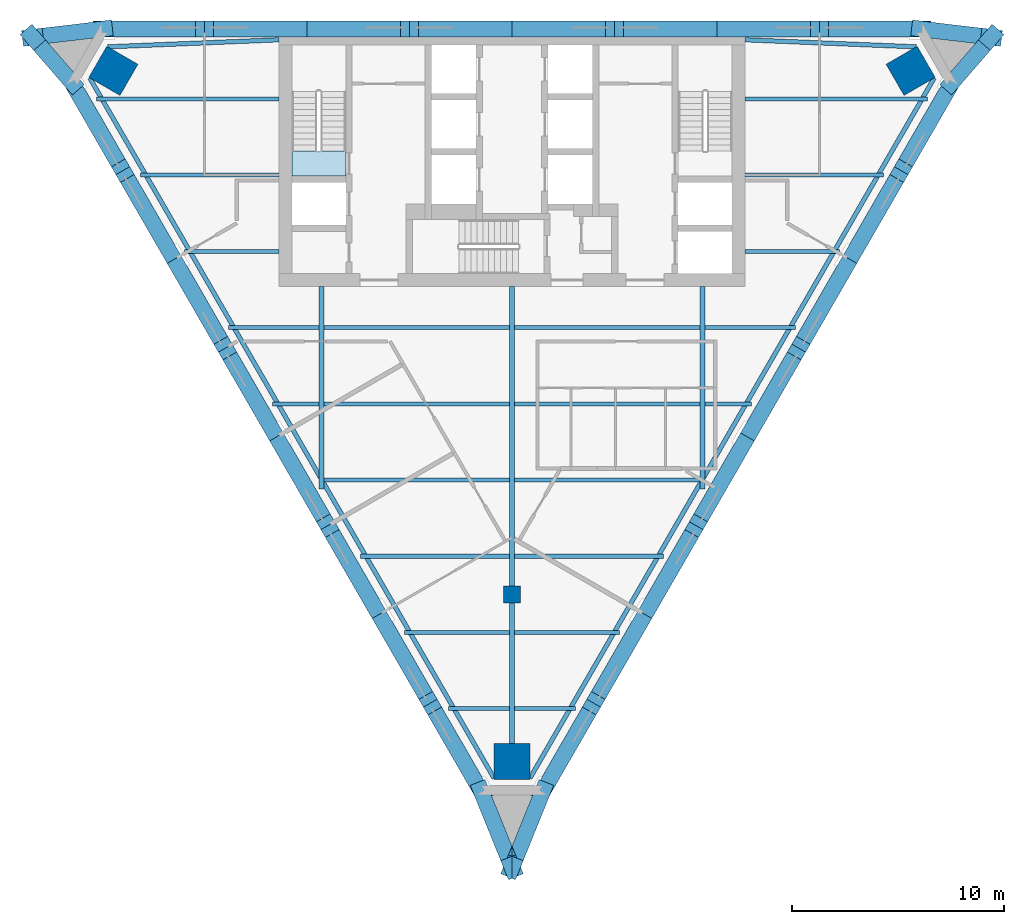
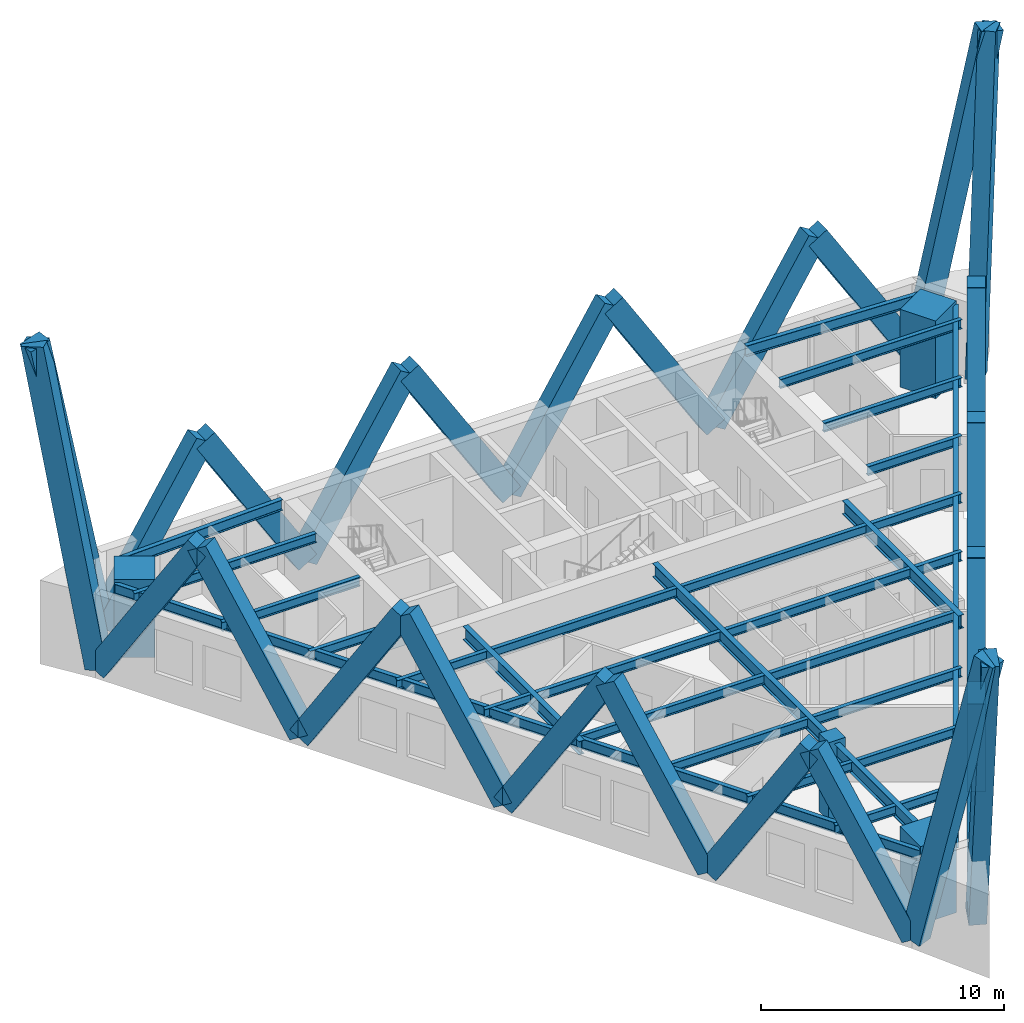
# One storey, part 1 of 6: 30 beams, 30 members, 4 columns, 1 slab.
"""IFC4 building model written with IfcOpenShell, lengths in metres."""

from ifc_helpers import new_model, si_unit, direction, frame, origin, origin_2d, place, context, subcontext, project, spatial, polyline, rectangle, i_section, outline, extrude, material, layer, layer_set, material_profile, profile_set, type_object, element, save


model = new_model("IFC4")

# Units and contexts
model_context = context("Model", 3, precision=1e-05, world=origin(), true_north=direction((0.0, 1.0)))
body_context = subcontext(model_context, "Body", "Model", "MODEL_VIEW")
ifc_project = project(units=[si_unit("LENGTHUNIT", "METRE"), si_unit("AREAUNIT", "SQUARE_METRE"), si_unit("VOLUMEUNIT", "CUBIC_METRE"), si_unit("PLANEANGLEUNIT", "RADIAN"), si_unit("MASSUNIT", "GRAM", prefix="KILO")], contexts=[model_context])

# Site, building, storey
site_placement = place(None, origin())
site = spatial("IfcSite", under=ifc_project, at=site_placement, CompositionType="ELEMENT")
building_placement = place(site_placement, origin())
building = spatial("IfcBuilding", under=site, at=building_placement, Name="Aloe Facet Convention Tower", CompositionType="ELEMENT")
storey_placement = place(building_placement, frame((0.0, 0.0, 180.199951171875)))
storey = spatial("IfcBuildingStorey", under=building, at=storey_placement, Name="L45", CompositionType="ELEMENT", Elevation=180.199951171875)

# Columns
ifc_material_1 = material(Name="Concrete C70/85", Category="concrete")
ifc_material_profile_1 = material_profile(ifc_material_1, rectangle(XDim=0.800048828125, YDim=0.800048828125, at=origin_2d()), Name="SF-GC-Z4")
ifc_profile_set_1 = profile_set([ifc_material_profile_1], Name="Concrete C70/85")
column_type_1 = type_object("IfcColumnType", Name="SF-GC-Z4", PredefinedType="COLUMN", material=ifc_profile_set_1)
column_placement = place(storey_placement, frame((80.0, 108.0, 0.0), z_axis=(0.0, 0.0, 1.0), x_axis=(1.0, 0.0, 0.0)))
element("IfcColumn", 1, at=column_placement, inside=storey, type_object=column_type_1, Name="Gravity column GC-Z4-9D", PredefinedType="COLUMN", context=body_context, shape_type="SweptSolid", body=[
    extrude(rectangle(XDim=0.800048828125, YDim=0.800048828125, at=origin_2d()), origin(), (0.0, 0.0, 1.0), 3.900146484375),
])
ifc_material_2 = material(Name="Concrete C80/95", Category="concrete")
ifc_material_profile_2 = material_profile(ifc_material_2, rectangle(XDim=1.699951171875, YDim=1.699951171875, at=origin_2d()), Name="STW-MC-Z4")
ifc_profile_set_2 = profile_set([ifc_material_profile_2], Name="Concrete C80/95")
column_type_2 = type_object("IfcColumnType", Name="STW-MC-Z4", PredefinedType="COLUMN", material=ifc_profile_set_2)
for number, where, z_axis, x_axis, name in (
    (2, (98.828857421875, 132.727783203125, 0.0), (0.0, 0.0, 1.0), (-0.5, 0.866025403784, 0.0), "Mega-column MC-NE-L45"),
    (3, (61.171142578125, 132.727783203125, 0.0), (0.0, 0.0, 1.0), (-0.5, -0.866025403784, 0.0), "Mega-column MC-NW-L45"),
    (4, (80.0, 100.114990234375, 0.0), (0.0, 0.0, 1.0), (1.0, 0.0, 0.0), "Mega-column MC-S-L45"),
):
    element("IfcColumn", number, at=place(storey_placement, frame(where, z_axis=z_axis, x_axis=x_axis)), inside=storey, type_object=column_type_2, Name=name, PredefinedType="COLUMN", context=body_context, shape_type="SweptSolid", body=[
        extrude(rectangle(XDim=1.699951171875, YDim=1.699951171875, at=origin_2d()), origin(), (0.0, 0.0, 1.0), 3.900146484375),
    ])

# Beams
ifc_material_3 = material(Name="Steel S355", Category="steel")
ifc_material_profile_3 = material_profile(ifc_material_3, i_section(OverallWidth=0.19140625, OverallDepth=0.4599609375, WebThickness=0.010009765625, FlangeThickness=0.01611328125, FilletRadius=0.01025390625, at=origin_2d()), Name="UB 457x191x82")
ifc_profile_set_3 = profile_set([ifc_material_profile_3], Name="Steel S355")
beam_type_1 = type_object("IfcBeamType", Name="SF-B-UB457x191x82", PredefinedType="BEAM", material=ifc_profile_set_3)
beam_1_placement = place(storey_placement, frame((60.373779296875, 131.39990234375, 3.52001953125), z_axis=(1.0, 0.0, 0.0), x_axis=(0.0, 1.0, 0.0)))
element("IfcBeam", 5, at=beam_1_placement, inside=storey, type_object=beam_type_1, Name="Floor beam FB-Z4B-009", PredefinedType="BEAM", context=body_context, shape_type="SweptSolid", body=[
    extrude(i_section(OverallWidth=0.19140625, OverallDepth=0.4599609375, WebThickness=0.010009765625, FlangeThickness=0.01611328125, FilletRadius=0.01025390625, at=origin_2d()), origin(), (0.0, 0.0, 1.0), 8.626220703125),
])
beam_2_placement = place(storey_placement, frame((62.452392578125, 127.800048828125, 3.52001953125), z_axis=(1.0, 0.0, 0.0), x_axis=(0.0, 1.0, 0.0)))
element("IfcBeam", 6, at=beam_2_placement, inside=storey, type_object=beam_type_1, Name="Floor beam FB-Z4B-010", PredefinedType="BEAM", context=body_context, shape_type="SweptSolid", body=[
    extrude(i_section(OverallWidth=0.19140625, OverallDepth=0.4599609375, WebThickness=0.010009765625, FlangeThickness=0.01611328125, FilletRadius=0.01025390625, at=origin_2d()), origin(), (0.0, 0.0, 1.0), 6.547607421875),
])
beam_3_placement = place(storey_placement, frame((64.53076171875, 124.199951171875, 3.52001953125), z_axis=(1.0, 0.0, 0.0), x_axis=(0.0, 1.0, 0.0)))
element("IfcBeam", 7, at=beam_3_placement, inside=storey, type_object=beam_type_1, Name="Floor beam FB-Z4B-011", PredefinedType="BEAM", context=body_context, shape_type="SweptSolid", body=[
    extrude(i_section(OverallWidth=0.19140625, OverallDepth=0.4599609375, WebThickness=0.010009765625, FlangeThickness=0.01611328125, FilletRadius=0.01025390625, at=origin_2d()), origin(), (0.0, 0.0, 1.0), 4.46923828125),
])
beam_4_placement = place(storey_placement, frame((66.609130859375, 120.60009765625, 3.52001953125), z_axis=(1.0, 0.0, 0.0), x_axis=(0.0, 1.0, 0.0)))
element("IfcBeam", 8, at=beam_4_placement, inside=storey, type_object=beam_type_1, Name="Floor beam FB-Z4B-012", PredefinedType="BEAM", context=body_context, shape_type="SweptSolid", body=[
    extrude(i_section(OverallWidth=0.19140625, OverallDepth=0.4599609375, WebThickness=0.010009765625, FlangeThickness=0.01611328125, FilletRadius=0.01025390625, at=origin_2d()), origin(), (0.0, 0.0, 1.0), 4.264404296875),
])
beam_5_placement = place(storey_placement, frame((68.687744140625, 117.0, 3.52001953125), z_axis=(1.0, 0.0, 0.0), x_axis=(0.0, 1.0, 0.0)))
element("IfcBeam", 9, at=beam_5_placement, inside=storey, type_object=beam_type_1, Name="Floor beam FB-Z4B-013", PredefinedType="BEAM", context=body_context, shape_type="SweptSolid", body=[
    extrude(i_section(OverallWidth=0.19140625, OverallDepth=0.4599609375, WebThickness=0.010009765625, FlangeThickness=0.01611328125, FilletRadius=0.01025390625, at=origin_2d()), origin(), (0.0, 0.0, 1.0), 2.185791015625),
])
for number, where, z_axis, x_axis, name in (
    (10, (71.12646484375, 113.39990234375, 3.52001953125), (1.0, 0.0, 0.0), (0.0, 1.0, 0.0), "Floor beam FB-Z4B-014"),
    (11, (71.12646484375, 117.0, 3.52001953125), (1.0, 0.0, 0.0), (0.0, 1.0, 0.0), "Floor beam FB-Z4B-015"),
    (12, (71.12646484375, 120.60009765625, 3.52001953125), (1.0, 0.0, 0.0), (0.0, 1.0, 0.0), "Floor beam FB-Z4B-016"),
):
    element("IfcBeam", number, at=place(storey_placement, frame(where, z_axis=z_axis, x_axis=x_axis)), inside=storey, type_object=beam_type_1, Name=name, PredefinedType="BEAM", context=body_context, shape_type="SweptSolid", body=[
        extrude(i_section(OverallWidth=0.19140625, OverallDepth=0.4599609375, WebThickness=0.010009765625, FlangeThickness=0.01611328125, FilletRadius=0.01025390625, at=origin_2d()), origin(), (0.0, 0.0, 1.0), 8.7470703125),
    ])
beam_6_placement = place(storey_placement, frame((72.844482421875, 109.800048828125, 3.52001953125), z_axis=(1.0, 0.0, 0.0), x_axis=(0.0, 1.0, 0.0)))
element("IfcBeam", 13, at=beam_6_placement, inside=storey, type_object=beam_type_1, Name="Floor beam FB-Z4B-017", PredefinedType="BEAM", context=body_context, shape_type="SweptSolid", body=[
    extrude(i_section(OverallWidth=0.19140625, OverallDepth=0.4599609375, WebThickness=0.010009765625, FlangeThickness=0.01611328125, FilletRadius=0.01025390625, at=origin_2d()), origin(), (0.0, 0.0, 1.0), 7.029052734375),
])
beam_7_placement = place(storey_placement, frame((74.923095703125, 106.199951171875, 3.52001953125), z_axis=(1.0, 0.0, 0.0), x_axis=(0.0, 1.0, 0.0)))
element("IfcBeam", 14, at=beam_7_placement, inside=storey, type_object=beam_type_1, Name="Floor beam FB-Z4B-018", PredefinedType="BEAM", context=body_context, shape_type="SweptSolid", body=[
    extrude(i_section(OverallWidth=0.19140625, OverallDepth=0.4599609375, WebThickness=0.010009765625, FlangeThickness=0.01611328125, FilletRadius=0.01025390625, at=origin_2d()), origin(), (0.0, 0.0, 1.0), 4.950439453125),
])
for number, where, z_axis, x_axis, name in (
    (15, (77.00146484375, 102.60009765625, 3.52001953125), (1.0, 0.0, 0.0), (0.0, 1.0, 0.0), "Floor beam FB-Z4B-019"),
    (16, (80.12646484375, 102.60009765625, 3.52001953125), (1.0, 0.0, 0.0), (0.0, 1.0, 0.0), "Floor beam FB-Z4B-020"),
):
    element("IfcBeam", number, at=place(storey_placement, frame(where, z_axis=z_axis, x_axis=x_axis)), inside=storey, type_object=beam_type_1, Name=name, PredefinedType="BEAM", context=body_context, shape_type="SweptSolid", body=[
        extrude(i_section(OverallWidth=0.19140625, OverallDepth=0.4599609375, WebThickness=0.010009765625, FlangeThickness=0.01611328125, FilletRadius=0.01025390625, at=origin_2d()), origin(), (0.0, 0.0, 1.0), 2.8720703125),
    ])
beam_8_placement = place(storey_placement, frame((80.12646484375, 106.199951171875, 3.52001953125), z_axis=(1.0, 0.0, 0.0), x_axis=(0.0, 1.0, 0.0)))
element("IfcBeam", 17, at=beam_8_placement, inside=storey, type_object=beam_type_1, Name="Floor beam FB-Z4B-021", PredefinedType="BEAM", context=body_context, shape_type="SweptSolid", body=[
    extrude(i_section(OverallWidth=0.19140625, OverallDepth=0.4599609375, WebThickness=0.010009765625, FlangeThickness=0.01611328125, FilletRadius=0.01025390625, at=origin_2d()), origin(), (0.0, 0.0, 1.0), 4.950439453125),
])
beam_9_placement = place(storey_placement, frame((80.12646484375, 109.800048828125, 3.52001953125), z_axis=(1.0, 0.0, 0.0), x_axis=(0.0, 1.0, 0.0)))
element("IfcBeam", 18, at=beam_9_placement, inside=storey, type_object=beam_type_1, Name="Floor beam FB-Z4B-022", PredefinedType="BEAM", context=body_context, shape_type="SweptSolid", body=[
    extrude(i_section(OverallWidth=0.19140625, OverallDepth=0.4599609375, WebThickness=0.010009765625, FlangeThickness=0.01611328125, FilletRadius=0.01025390625, at=origin_2d()), origin(), (0.0, 0.0, 1.0), 7.029052734375),
])
for number, where, z_axis, x_axis, name in (
    (19, (80.12646484375, 113.39990234375, 3.52001953125), (1.0, 0.0, 0.0), (0.0, 1.0, 0.0), "Floor beam FB-Z4B-023"),
    (20, (80.12646484375, 117.0, 3.52001953125), (1.0, 0.0, 0.0), (0.0, 1.0, 0.0), "Floor beam FB-Z4B-024"),
    (21, (80.12646484375, 120.60009765625, 3.52001953125), (1.0, 0.0, 0.0), (0.0, 1.0, 0.0), "Floor beam FB-Z4B-025"),
):
    element("IfcBeam", number, at=place(storey_placement, frame(where, z_axis=z_axis, x_axis=x_axis)), inside=storey, type_object=beam_type_1, Name=name, PredefinedType="BEAM", context=body_context, shape_type="SweptSolid", body=[
        extrude(i_section(OverallWidth=0.19140625, OverallDepth=0.4599609375, WebThickness=0.010009765625, FlangeThickness=0.01611328125, FilletRadius=0.01025390625, at=origin_2d()), origin(), (0.0, 0.0, 1.0), 8.7470703125),
    ])
beam_10_placement = place(storey_placement, frame((89.12646484375, 117.0, 3.52001953125), z_axis=(1.0, 0.0, 0.0), x_axis=(0.0, 1.0, 0.0)))
element("IfcBeam", 22, at=beam_10_placement, inside=storey, type_object=beam_type_1, Name="Floor beam FB-Z4B-026", PredefinedType="BEAM", context=body_context, shape_type="SweptSolid", body=[
    extrude(i_section(OverallWidth=0.19140625, OverallDepth=0.4599609375, WebThickness=0.010009765625, FlangeThickness=0.01611328125, FilletRadius=0.01025390625, at=origin_2d()), origin(), (0.0, 0.0, 1.0), 2.185791015625),
])
beam_11_placement = place(storey_placement, frame((89.12646484375, 120.60009765625, 3.52001953125), z_axis=(1.0, 0.0, 0.0), x_axis=(0.0, 1.0, 0.0)))
element("IfcBeam", 23, at=beam_11_placement, inside=storey, type_object=beam_type_1, Name="Floor beam FB-Z4B-027", PredefinedType="BEAM", context=body_context, shape_type="SweptSolid", body=[
    extrude(i_section(OverallWidth=0.19140625, OverallDepth=0.4599609375, WebThickness=0.010009765625, FlangeThickness=0.01611328125, FilletRadius=0.01025390625, at=origin_2d()), origin(), (0.0, 0.0, 1.0), 4.264404296875),
])
beam_12_placement = place(storey_placement, frame((91.0, 124.199951171875, 3.52001953125), z_axis=(1.0, 0.0, 0.0), x_axis=(0.0, 1.0, 0.0)))
element("IfcBeam", 24, at=beam_12_placement, inside=storey, type_object=beam_type_1, Name="Floor beam FB-Z4B-028", PredefinedType="BEAM", context=body_context, shape_type="SweptSolid", body=[
    extrude(i_section(OverallWidth=0.19140625, OverallDepth=0.4599609375, WebThickness=0.010009765625, FlangeThickness=0.01611328125, FilletRadius=0.01025390625, at=origin_2d()), origin(), (0.0, 0.0, 1.0), 4.46923828125),
])
beam_13_placement = place(storey_placement, frame((91.0, 127.800048828125, 3.52001953125), z_axis=(1.0, 0.0, 0.0), x_axis=(0.0, 1.0, 0.0)))
element("IfcBeam", 25, at=beam_13_placement, inside=storey, type_object=beam_type_1, Name="Floor beam FB-Z4B-029", PredefinedType="BEAM", context=body_context, shape_type="SweptSolid", body=[
    extrude(i_section(OverallWidth=0.19140625, OverallDepth=0.4599609375, WebThickness=0.010009765625, FlangeThickness=0.01611328125, FilletRadius=0.01025390625, at=origin_2d()), origin(), (0.0, 0.0, 1.0), 6.547607421875),
])
beam_14_placement = place(storey_placement, frame((91.0, 131.39990234375, 3.52001953125), z_axis=(1.0, 0.0, 0.0), x_axis=(0.0, 1.0, 0.0)))
element("IfcBeam", 26, at=beam_14_placement, inside=storey, type_object=beam_type_1, Name="Floor beam FB-Z4B-030", PredefinedType="BEAM", context=body_context, shape_type="SweptSolid", body=[
    extrude(i_section(OverallWidth=0.19140625, OverallDepth=0.4599609375, WebThickness=0.010009765625, FlangeThickness=0.01611328125, FilletRadius=0.01025390625, at=origin_2d()), origin(), (0.0, 0.0, 1.0), 8.626220703125),
])
ifc_material_4 = material(Name="Steel S355", Category="steel")
ifc_material_profile_4 = material_profile(ifc_material_4, i_section(OverallWidth=0.209228515625, OverallDepth=0.533203125, WebThickness=0.010009765625, FlangeThickness=0.015625, FilletRadius=0.0126953125, at=origin_2d()), Name="UB 533x210x92")
ifc_profile_set_4 = profile_set([ifc_material_profile_4], Name="Steel S355")
beam_type_2 = type_object("IfcBeamType", Name="SF-B-UB533x210x92", PredefinedType="BEAM", material=ifc_profile_set_4)
beam_15_placement = place(storey_placement, frame((60.9072265625, 133.861572265625, 3.4833984375), z_axis=(0.999150743543, 0.041204267721, 0.0), x_axis=(-0.041204267721, 0.999150743543, 0.0)))
element("IfcBeam", 27, at=beam_15_placement, inside=storey, type_object=beam_type_2, Name="Floor beam FB-Z4B-001", PredefinedType="BEAM", context=body_context, shape_type="SweptSolid", body=[
    extrude(i_section(OverallWidth=0.209228515625, OverallDepth=0.533203125, WebThickness=0.010009765625, FlangeThickness=0.015625, FilletRadius=0.0126953125, at=origin_2d()), origin(), (0.0, 0.0, 1.0), 8.099609375),
])
beam_16_placement = place(storey_placement, frame((79.14990234375, 99.319580078125, 3.4833984375), z_axis=(-0.499998065821, 0.866026520481, 0.0), x_axis=(-0.866026520481, -0.499998065821, 0.0)))
element("IfcBeam", 28, at=beam_16_placement, inside=storey, type_object=beam_type_2, Name="Floor beam FB-Z4B-002", PredefinedType="BEAM", context=body_context, shape_type="SweptSolid", body=[
    extrude(i_section(OverallWidth=0.209228515625, OverallDepth=0.533203125, WebThickness=0.010009765625, FlangeThickness=0.015625, FilletRadius=0.0126953125, at=origin_2d()), origin(), (0.0, 0.0, 1.0), 38.185791015625),
])
beam_17_placement = place(storey_placement, frame((91.0, 134.1953125, 3.4833984375), z_axis=(0.999150743543, -0.041204267721, 0.0), x_axis=(0.041204267721, 0.999150743543, 0.0)))
element("IfcBeam", 29, at=beam_17_placement, inside=storey, type_object=beam_type_2, Name="Floor beam FB-Z4B-003", PredefinedType="BEAM", context=body_context, shape_type="SweptSolid", body=[
    extrude(i_section(OverallWidth=0.209228515625, OverallDepth=0.533203125, WebThickness=0.010009765625, FlangeThickness=0.015625, FilletRadius=0.0126953125, at=origin_2d()), origin(), (0.0, 0.0, 1.0), 8.099609375),
])
beam_18_placement = place(storey_placement, frame((99.94287109375, 132.389404296875, 3.4833984375), z_axis=(-0.499998065821, -0.866026520481, 0.0), x_axis=(0.866026520481, -0.499998065821, 0.0)))
element("IfcBeam", 30, at=beam_18_placement, inside=storey, type_object=beam_type_2, Name="Floor beam FB-Z4B-004", PredefinedType="BEAM", context=body_context, shape_type="SweptSolid", body=[
    extrude(i_section(OverallWidth=0.209228515625, OverallDepth=0.533203125, WebThickness=0.010009765625, FlangeThickness=0.015625, FilletRadius=0.0126953125, at=origin_2d()), origin(), (0.0, 0.0, 1.0), 38.185791015625),
])
ifc_material_5 = material(Name="Steel S355", Category="steel")
ifc_material_profile_5 = material_profile(ifc_material_5, i_section(OverallWidth=0.2529296875, OverallDepth=0.677978515625, WebThickness=0.01171875, FlangeThickness=0.01611328125, FilletRadius=0.01513671875, at=origin_2d()), Name="UB 686x254x125")
ifc_profile_set_5 = profile_set([ifc_material_profile_5], Name="Steel S355")
beam_type_3 = type_object("IfcBeamType", Name="SF-B-UB686x254x125", PredefinedType="BEAM", material=ifc_profile_set_5)
beam_19_placement = place(storey_placement, frame((71.0, 122.550048828125, 3.4111328125), z_axis=(0.0, -1.0, 0.0), x_axis=(1.0, 0.0, 0.0)))
element("IfcBeam", 31, at=beam_19_placement, inside=storey, type_object=beam_type_3, Name="Floor beam FB-Z4B-005", PredefinedType="BEAM", context=body_context, shape_type="SweptSolid", body=[
    extrude(i_section(OverallWidth=0.2529296875, OverallDepth=0.677978515625, WebThickness=0.01171875, FlangeThickness=0.01611328125, FilletRadius=0.01513671875, at=origin_2d()), origin(), (0.0, 0.0, 1.0), 9.5625),
])
beam_20_placement = place(storey_placement, frame((80.0, 107.60009765625, 3.4111328125), z_axis=(0.0, -1.0, 0.0), x_axis=(1.0, 0.0, 0.0)))
element("IfcBeam", 32, at=beam_20_placement, inside=storey, type_object=beam_type_3, Name="Floor beam FB-Z4B-006", PredefinedType="BEAM", context=body_context, shape_type="SweptSolid", body=[
    extrude(i_section(OverallWidth=0.2529296875, OverallDepth=0.677978515625, WebThickness=0.01171875, FlangeThickness=0.01611328125, FilletRadius=0.01513671875, at=origin_2d()), origin(), (0.0, 0.0, 1.0), 8.165771484375),
])
beam_21_placement = place(storey_placement, frame((80.0, 122.550048828125, 3.4111328125), z_axis=(0.0, -1.0, 0.0), x_axis=(1.0, 0.0, 0.0)))
element("IfcBeam", 33, at=beam_21_placement, inside=storey, type_object=beam_type_3, Name="Floor beam FB-Z4B-007", PredefinedType="BEAM", context=body_context, shape_type="SweptSolid", body=[
    extrude(i_section(OverallWidth=0.2529296875, OverallDepth=0.677978515625, WebThickness=0.01171875, FlangeThickness=0.01611328125, FilletRadius=0.01513671875, at=origin_2d()), origin(), (0.0, 0.0, 1.0), 14.150146484375),
])
beam_22_placement = place(storey_placement, frame((89.0, 122.550048828125, 3.4111328125), z_axis=(0.0, -1.0, 0.0), x_axis=(1.0, 0.0, 0.0)))
element("IfcBeam", 34, at=beam_22_placement, inside=storey, type_object=beam_type_3, Name="Floor beam FB-Z4B-008", PredefinedType="BEAM", context=body_context, shape_type="SweptSolid", body=[
    extrude(i_section(OverallWidth=0.2529296875, OverallDepth=0.677978515625, WebThickness=0.01171875, FlangeThickness=0.01611328125, FilletRadius=0.01513671875, at=origin_2d()), origin(), (0.0, 0.0, 1.0), 9.5625),
])

# Members
ifc_material_6 = material(Name="Concrete C60/75, bronze oxide finish", Category="concrete")
ifc_material_profile_6 = material_profile(ifc_material_6, rectangle(XDim=0.75, YDim=1.0, at=origin_2d()), Name="STW-LM")
ifc_profile_set_6 = profile_set([ifc_material_profile_6], Name="Concrete C60/75, bronze oxide finish")
member_type = type_object("IfcMemberType", Name="STW-LM", PredefinedType="BRACE", material=ifc_profile_set_6)
for number, where, z_axis, x_axis, name in (
    (35, (99.364501953125, 134.699951171875, 0.0), (-0.52733571948, 0.0, 0.849657012541), (0.0, -1.0, 0.0), "Lattice member LM-Z4-F1-R0-01"),
    (36, (89.682373046875, 134.699951171875, 0.0), (0.52733571948, 0.0, 0.849657012541), (0.0, 1.0, 0.0), "Lattice member LM-Z4-F1-R0-02"),
):
    element("IfcMember", number, at=place(storey_placement, frame(where, z_axis=z_axis, x_axis=x_axis)), inside=storey, type_object=member_type, Name=name, PredefinedType="BRACE", context=body_context, shape_type="SweptSolid", body=[
        extrude(rectangle(XDim=0.75, YDim=1.0, at=origin_2d()), origin(), (0.0, 0.0, 1.0), 9.18017578125),
    ])
member_1_placement = place(storey_placement, frame((89.682373046875, 134.699951171875, 0.0), z_axis=(-0.527354917858, 0.0, 0.849645096856), x_axis=(0.0, -1.0, 0.0)))
element("IfcMember", 37, at=member_1_placement, inside=storey, type_object=member_type, Name="Lattice member LM-Z4-F1-R0-03", PredefinedType="BRACE", context=body_context, shape_type="SweptSolid", body=[
    extrude(rectangle(XDim=0.75, YDim=1.0, at=origin_2d()), origin(), (0.0, 0.0, 1.0), 9.180419921875),
])
for number, where, z_axis, x_axis, name in (
    (38, (80.0, 134.699951171875, 0.0), (0.52733571948, 0.0, 0.849657012541), (0.0, 1.0, 0.0), "Lattice member LM-Z4-F1-R0-04"),
    (39, (80.0, 134.699951171875, 0.0), (-0.52733571948, 0.0, 0.849657012541), (0.0, -1.0, 0.0), "Lattice member LM-Z4-F1-R0-05"),
):
    element("IfcMember", number, at=place(storey_placement, frame(where, z_axis=z_axis, x_axis=x_axis)), inside=storey, type_object=member_type, Name=name, PredefinedType="BRACE", context=body_context, shape_type="SweptSolid", body=[
        extrude(rectangle(XDim=0.75, YDim=1.0, at=origin_2d()), origin(), (0.0, 0.0, 1.0), 9.18017578125),
    ])
member_2_placement = place(storey_placement, frame((70.317626953125, 134.699951171875, 0.0), z_axis=(0.527354917858, 0.0, 0.849645096856), x_axis=(0.0, 1.0, 0.0)))
element("IfcMember", 40, at=member_2_placement, inside=storey, type_object=member_type, Name="Lattice member LM-Z4-F1-R0-06", PredefinedType="BRACE", context=body_context, shape_type="SweptSolid", body=[
    extrude(rectangle(XDim=0.75, YDim=1.0, at=origin_2d()), origin(), (0.0, 0.0, 1.0), 9.180419921875),
])
for number, where, z_axis, x_axis, name in (
    (41, (70.317626953125, 134.699951171875, 0.0), (-0.52733571948, 0.0, 0.849657012541), (0.0, -1.0, 0.0), "Lattice member LM-Z4-F1-R0-07"),
    (42, (60.635498046875, 134.699951171875, 0.0), (0.52733571948, 0.0, 0.849657012541), (0.0, 1.0, 0.0), "Lattice member LM-Z4-F1-R0-08"),
    (43, (59.1953125, 132.20556640625, 0.0), (0.263653622482, -0.456699985767, 0.84965398272), (0.866043662766, 0.499968373182, 0.0), "Lattice member LM-Z4-F2-R0-01"),
):
    element("IfcMember", number, at=place(storey_placement, frame(where, z_axis=z_axis, x_axis=x_axis)), inside=storey, type_object=member_type, Name=name, PredefinedType="BRACE", context=body_context, shape_type="SweptSolid", body=[
        extrude(rectangle(XDim=0.75, YDim=1.0, at=origin_2d()), origin(), (0.0, 0.0, 1.0), 9.18017578125),
    ])
member_3_placement = place(storey_placement, frame((64.036376953125, 123.8203125, 0.0), z_axis=(-0.263678367654, 0.456696783431, 0.849648025029), x_axis=(-0.866021826347, -0.500006196252, 0.0)))
element("IfcMember", 44, at=member_3_placement, inside=storey, type_object=member_type, Name="Lattice member LM-Z4-F2-R0-02", PredefinedType="BRACE", context=body_context, shape_type="SweptSolid", body=[
    extrude(rectangle(XDim=0.75, YDim=1.0, at=origin_2d()), origin(), (0.0, 0.0, 1.0), 9.180419921875),
])
for number, where, z_axis, x_axis, name in (
    (45, (64.036376953125, 123.8203125, 0.0), (0.263681570082, -0.456675735901, 0.849658344182), (0.866009217892, 0.500028033741, 0.0), "Lattice member LM-Z4-F2-R0-03"),
    (46, (68.87744140625, 115.435302734375, 0.0), (-0.263653622482, 0.456699985767, 0.84965398272), (-0.866043662766, -0.499968373182, 0.0), "Lattice member LM-Z4-F2-R0-04"),
):
    element("IfcMember", number, at=place(storey_placement, frame(where, z_axis=z_axis, x_axis=x_axis)), inside=storey, type_object=member_type, Name=name, PredefinedType="BRACE", context=body_context, shape_type="SweptSolid", body=[
        extrude(rectangle(XDim=0.75, YDim=1.0, at=origin_2d()), origin(), (0.0, 0.0, 1.0), 9.18017578125),
    ])
for number, where, z_axis, x_axis, name in (
    (47, (68.87744140625, 115.435302734375, 0.0), (0.263678367654, -0.456696783431, 0.849648025029), (0.866021826347, 0.500006196252, 0.0), "Lattice member LM-Z4-F2-R0-05"),
    (48, (73.71875, 107.050048828125, 0.0), (-0.263678367654, 0.456696783431, 0.849648025029), (-0.866021826347, -0.500006196252, 0.0), "Lattice member LM-Z4-F2-R0-06"),
):
    element("IfcMember", number, at=place(storey_placement, frame(where, z_axis=z_axis, x_axis=x_axis)), inside=storey, type_object=member_type, Name=name, PredefinedType="BRACE", context=body_context, shape_type="SweptSolid", body=[
        extrude(rectangle(XDim=0.75, YDim=1.0, at=origin_2d()), origin(), (0.0, 0.0, 1.0), 9.180419921875),
    ])
member_4_placement = place(storey_placement, frame((73.71875, 107.050048828125, 0.0), z_axis=(0.263656824656, -0.456678938167, 0.849664302091), x_axis=(0.8660310559, 0.499990210121, 0.0)))
element("IfcMember", 49, at=member_4_placement, inside=storey, type_object=member_type, Name="Lattice member LM-Z4-F2-R0-07", PredefinedType="BRACE", context=body_context, shape_type="SweptSolid", body=[
    extrude(rectangle(XDim=0.75, YDim=1.0, at=origin_2d()), origin(), (0.0, 0.0, 1.0), 9.18017578125),
])
for number, where, z_axis, x_axis, name in (
    (50, (78.559814453125, 98.6650390625, 0.0), (-0.263678367654, 0.456696783431, 0.849648025029), (-0.866021826347, -0.500006196252, 0.0), "Lattice member LM-Z4-F2-R0-08"),
    (51, (81.440185546875, 98.6650390625, 0.0), (0.263678367654, 0.456696783431, 0.849648025029), (-0.866021826347, 0.500006196252, 0.0), "Lattice member LM-Z4-F3-R0-01"),
):
    element("IfcMember", number, at=place(storey_placement, frame(where, z_axis=z_axis, x_axis=x_axis)), inside=storey, type_object=member_type, Name=name, PredefinedType="BRACE", context=body_context, shape_type="SweptSolid", body=[
        extrude(rectangle(XDim=0.75, YDim=1.0, at=origin_2d()), origin(), (0.0, 0.0, 1.0), 9.180419921875),
    ])
member_5_placement = place(storey_placement, frame((86.28125, 107.050048828125, 0.0), z_axis=(-0.263656824656, -0.456678938167, 0.849664302091), x_axis=(0.8660310559, -0.499990210121, 0.0)))
element("IfcMember", 52, at=member_5_placement, inside=storey, type_object=member_type, Name="Lattice member LM-Z4-F3-R0-02", PredefinedType="BRACE", context=body_context, shape_type="SweptSolid", body=[
    extrude(rectangle(XDim=0.75, YDim=1.0, at=origin_2d()), origin(), (0.0, 0.0, 1.0), 9.18017578125),
])
for number, where, z_axis, x_axis, name in (
    (53, (86.28125, 107.050048828125, 0.0), (0.263678367654, 0.456696783431, 0.849648025029), (-0.866021826347, 0.500006196252, 0.0), "Lattice member LM-Z4-F3-R0-03"),
    (54, (91.12255859375, 115.435302734375, 0.0), (-0.263678367654, -0.456696783431, 0.849648025029), (0.866021826347, -0.500006196252, 0.0), "Lattice member LM-Z4-F3-R0-04"),
):
    element("IfcMember", number, at=place(storey_placement, frame(where, z_axis=z_axis, x_axis=x_axis)), inside=storey, type_object=member_type, Name=name, PredefinedType="BRACE", context=body_context, shape_type="SweptSolid", body=[
        extrude(rectangle(XDim=0.75, YDim=1.0, at=origin_2d()), origin(), (0.0, 0.0, 1.0), 9.180419921875),
    ])
for number, where, z_axis, x_axis, name in (
    (55, (91.12255859375, 115.435302734375, 0.0), (0.263653622482, 0.456699985767, 0.84965398272), (-0.866043662766, 0.499968373182, 0.0), "Lattice member LM-Z4-F3-R0-05"),
    (56, (95.963623046875, 123.8203125, 0.0), (-0.263681570082, -0.456675735901, 0.849658344182), (0.866009217892, -0.500028033741, 0.0), "Lattice member LM-Z4-F3-R0-06"),
):
    element("IfcMember", number, at=place(storey_placement, frame(where, z_axis=z_axis, x_axis=x_axis)), inside=storey, type_object=member_type, Name=name, PredefinedType="BRACE", context=body_context, shape_type="SweptSolid", body=[
        extrude(rectangle(XDim=0.75, YDim=1.0, at=origin_2d()), origin(), (0.0, 0.0, 1.0), 9.18017578125),
    ])
member_6_placement = place(storey_placement, frame((95.963623046875, 123.8203125, 0.0), z_axis=(0.263678367654, 0.456696783431, 0.849648025029), x_axis=(-0.866021826347, 0.500006196252, 0.0)))
element("IfcMember", 57, at=member_6_placement, inside=storey, type_object=member_type, Name="Lattice member LM-Z4-F3-R0-07", PredefinedType="BRACE", context=body_context, shape_type="SweptSolid", body=[
    extrude(rectangle(XDim=0.75, YDim=1.0, at=origin_2d()), origin(), (0.0, 0.0, 1.0), 9.180419921875),
])
member_7_placement = place(storey_placement, frame((100.8046875, 132.20556640625, 0.0), z_axis=(-0.263653622482, -0.456699985767, 0.84965398272), x_axis=(0.866043662766, -0.499968373182, 0.0)))
element("IfcMember", 58, at=member_7_placement, inside=storey, type_object=member_type, Name="Lattice member LM-Z4-F3-R0-08", PredefinedType="BRACE", context=body_context, shape_type="SweptSolid", body=[
    extrude(rectangle(XDim=0.75, YDim=1.0, at=origin_2d()), origin(), (0.0, 0.0, 1.0), 9.18017578125),
])
member_8_placement = place(storey_placement, frame((100.8046875, 132.20556640625, 0.0), z_axis=(0.115432611051, 0.132979353876, 0.984373813015), x_axis=(-0.755172152094, 0.655526521738, 0.0)))
element("IfcMember", 59, at=member_8_placement, inside=storey, type_object=member_type, Name="Lattice member LM-Z4-F6-R0-01", PredefinedType="BRACE", context=body_context, shape_type="SweptSolid", body=[
    extrude(rectangle(XDim=0.75, YDim=1.0, at=origin_2d()), origin(), (0.0, 0.0, 1.0), 15.84765625),
])
for number, where, z_axis, x_axis, name in (
    (60, (99.364501953125, 134.699951171875, 0.0), (0.205066859273, -0.024270532553, 0.978446996254), (0.117533912635, 0.993068869405, 0.0), "Lattice member LM-Z4-F6-R0-03"),
    (61, (60.635498046875, 134.699951171875, 0.0), (-0.205066859273, -0.024270532553, 0.978446996254), (0.117533912635, -0.993068869405, 0.0), "Lattice member LM-Z4-F4-R0-01"),
):
    element("IfcMember", number, at=place(storey_placement, frame(where, z_axis=z_axis, x_axis=x_axis)), inside=storey, type_object=member_type, Name=name, PredefinedType="BRACE", context=body_context, shape_type="SweptSolid", body=[
        extrude(rectangle(XDim=0.75, YDim=1.0, at=origin_2d()), origin(), (0.0, 0.0, 1.0), 15.94384765625),
    ])
member_9_placement = place(storey_placement, frame((59.1953125, 132.20556640625, 0.0), z_axis=(-0.115432611051, 0.132979353876, 0.984373813015), x_axis=(-0.755172152094, -0.655526521738, 0.0)))
element("IfcMember", 62, at=member_9_placement, inside=storey, type_object=member_type, Name="Lattice member LM-Z4-F4-R0-03", PredefinedType="BRACE", context=body_context, shape_type="SweptSolid", body=[
    extrude(rectangle(XDim=0.75, YDim=1.0, at=origin_2d()), origin(), (0.0, 0.0, 1.0), 15.84765625),
])
for number, where, z_axis, x_axis, name in (
    (63, (78.559814453125, 98.6650390625, 0.0), (0.089646642438, -0.22140395553, 0.971052917186), (0.926902026735, 0.375303387721, 0.0), "Lattice member LM-Z4-F5-R0-01"),
    (64, (81.440185546875, 98.6650390625, 0.0), (-0.089646642438, -0.22140395553, 0.971052917186), (0.926902026735, -0.375303387721, 0.0), "Lattice member LM-Z4-F5-R0-03"),
):
    element("IfcMember", number, at=place(storey_placement, frame(where, z_axis=z_axis, x_axis=x_axis)), inside=storey, type_object=member_type, Name=name, PredefinedType="BRACE", context=body_context, shape_type="SweptSolid", body=[
        extrude(rectangle(XDim=0.75, YDim=1.0, at=origin_2d()), origin(), (0.0, 0.0, 1.0), 16.065185546875),
    ])

# Slab
ifc_material_7 = material(Name="Concrete C50/60", Category="concrete")
ifc_layer = layer(ifc_material_7, 0.449951171875)
ifc_layer_set = layer_set([ifc_layer], Name="CR-S-FLOOR450-C5060")
slab_type = type_object("IfcSlabType", Name="CR-S-FLOOR450-C5060", PredefinedType="FLOOR", material=ifc_layer_set)
slab_placement = place(storey_placement, frame((0.0, 0.0, -0.449951171875)))
element("IfcSlab", 65, at=slab_placement, inside=storey, type_object=slab_type, Name="Stair landing floor L45", PredefinedType="FLOOR", context=body_context, shape_type="SweptSolid", body=[
    extrude(outline(polyline([(72.14990234375, 127.75), (72.14990234375, 128.951171875), (69.60009765625, 128.951171875), (69.60009765625, 127.75), (72.14990234375, 127.75)])), origin(), (0.0, 0.0, 1.0), 0.449951171875),
])

save(model, "model.ifc")
